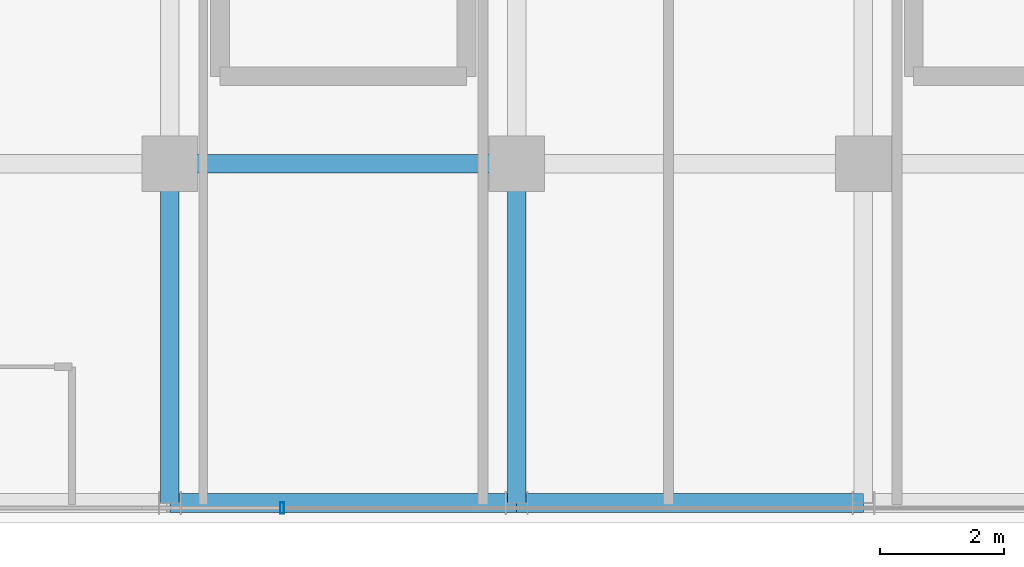
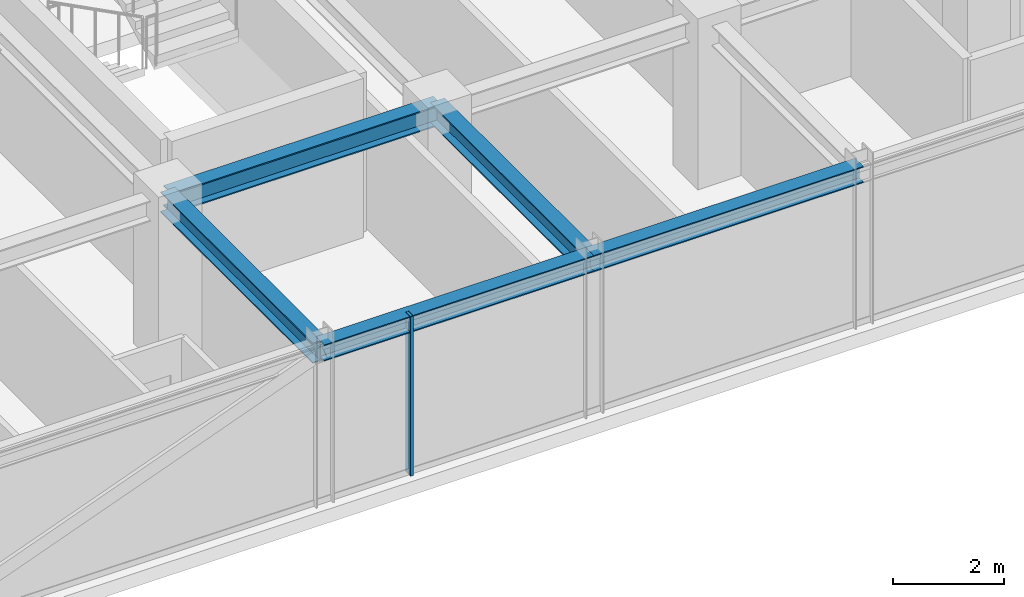
# One storey, part 6 of 36: 5 beams, 1 member, 1 element without a shape of its own.
"""IFC4 building model written with IfcOpenShell, lengths in metres."""

from ifc_helpers import new_model, si_unit, direction, frame, origin, origin_2d, place, context, subcontext, project, spatial, hollow_rectangle, i_section, extrude, source, transform, mapped, material, material_profile, profile_set, type_object, element, aggregate, save


model = new_model("IFC4")

# Units and contexts
model_context = context("Model", 3, precision=1e-05, world=origin(), true_north=direction((0.0, 1.0)))
body_context = subcontext(model_context, "Body", "Model", "MODEL_VIEW")
ifc_project = project(units=[si_unit("LENGTHUNIT", "METRE"), si_unit("AREAUNIT", "SQUARE_METRE"), si_unit("VOLUMEUNIT", "CUBIC_METRE"), si_unit("PLANEANGLEUNIT", "RADIAN"), si_unit("MASSUNIT", "GRAM", prefix="KILO")], contexts=[model_context])

# Site, building, storey
site_placement = place(None, origin())
site = spatial("IfcSite", under=ifc_project, at=site_placement, CompositionType="ELEMENT")
building_placement = place(site_placement, origin())
building = spatial("IfcBuilding", under=site, at=building_placement, Name="Nahalor Promenade Grand Hotel", CompositionType="ELEMENT")
storey_placement = place(building_placement, frame((0.0, 0.0, 319.550048828125)))
storey = spatial("IfcBuildingStorey", under=building, at=storey_placement, Name="L82", CompositionType="ELEMENT", Elevation=319.550048828125)

# Beams
ifc_material_1 = material(Name="Steel S355JR", Category="steel")
ifc_material_profile_1 = material_profile(ifc_material_1, i_section(OverallWidth=0.3, OverallDepth=0.45, WebThickness=0.014, FlangeThickness=0.026, at=origin_2d()), Name="HEB 450")
ifc_profile_set_1 = profile_set([ifc_material_profile_1], Name="Steel S355JR")
beam_type_1 = type_object("IfcBeamType", Name="Beam-Girder-HEB450", PredefinedType="BEAM", material=ifc_profile_set_1)
shared_shape_1 = source(origin(), body_context, "Body", "SweptSolid", [
    extrude(i_section(OverallWidth=0.3, OverallDepth=0.45, WebThickness=0.014, FlangeThickness=0.026, at=origin_2d()), origin(), (0.0, 0.0, 1.0), 5.599853515625),
])
beam_1_placement = place(storey_placement, frame((-8.39990234375, -17.0, 3.27490234375), z_axis=(1.0, 0.0, 0.0), x_axis=(0.0, 1.0, 0.0)))
element("IfcBeam", 1, at=beam_1_placement, inside=storey, type_object=beam_type_1, Name="BM-L82-GX-0-2", PredefinedType="BEAM", context=body_context, shape_type="MappedRepresentation", body=[
    mapped(shared_shape_1, transform((0.0, 0.0, 0.0), scale=1.0)),
])
shared_shape_2 = source(origin(), body_context, "Body", "SweptSolid", [
    extrude(i_section(OverallWidth=0.3, OverallDepth=0.45, WebThickness=0.014, FlangeThickness=0.026, at=origin_2d()), origin(), (0.0, 0.0, 1.0), 5.47998046875),
])
for number, where, z_axis, x_axis, name in (
    (2, (-8.39990234375, -22.47998046875, 3.27490234375), (0.0, 1.0, 0.0), (-1.0, 0.0, 0.0), "BM-L82-GY-1-0"),
    (3, (-2.800048828125, -22.47998046875, 3.27490234375), (0.0, 1.0, 0.0), (-1.0, 0.0, 0.0), "BM-L82-GY-2-0"),
):
    element("IfcBeam", number, at=place(storey_placement, frame(where, z_axis=z_axis, x_axis=x_axis)), inside=storey, type_object=beam_type_1, Name=name, PredefinedType="BEAM", context=body_context, shape_type="MappedRepresentation", body=[
        mapped(shared_shape_2, transform((0.0, 0.0, 0.0), scale=1.0)),
    ])
ifc_material_profile_2 = material_profile(ifc_material_1, i_section(OverallWidth=0.3, OverallDepth=0.36, WebThickness=0.0125, FlangeThickness=0.0225, at=origin_2d()), Name="HEB 360")
ifc_profile_set_2 = profile_set([ifc_material_profile_2], Name="Steel S355JR")
beam_type_2 = type_object("IfcBeamType", Name="Beam-Spandrel-HEB360", PredefinedType="SPANDREL", material=ifc_profile_set_2)
shared_shape_3 = source(origin(), body_context, "Body", "SweptSolid", [
    extrude(i_section(OverallWidth=0.3, OverallDepth=0.36, WebThickness=0.0125, FlangeThickness=0.0225, at=origin_2d()), origin(), (0.0, 0.0, 1.0), 5.599853515625),
])
beam_2_placement = place(storey_placement, frame((-8.39990234375, -22.47998046875, 3.320068359375), z_axis=(1.0, 0.0, 0.0), x_axis=(0.0, 1.0, 0.0)))
element("IfcBeam", 4, at=beam_2_placement, inside=storey, type_object=beam_type_2, Name="BM-L82-SP-S-1", PredefinedType="SPANDREL", context=body_context, shape_type="MappedRepresentation", body=[
    mapped(shared_shape_3, transform((0.0, 0.0, 0.0), scale=1.0)),
])
shared_shape_4 = source(origin(), body_context, "Body", "SweptSolid", [
    extrude(i_section(OverallWidth=0.3, OverallDepth=0.36, WebThickness=0.0125, FlangeThickness=0.0225, at=origin_2d()), origin(), (0.0, 0.0, 1.0), 5.60009765625),
])
beam_3_placement = place(storey_placement, frame((-2.800048828125, -22.47998046875, 3.320068359375), z_axis=(1.0, 0.0, 0.0), x_axis=(0.0, 1.0, 0.0)))
element("IfcBeam", 5, at=beam_3_placement, inside=storey, type_object=beam_type_2, Name="BM-L82-SP-S-2", PredefinedType="SPANDREL", context=body_context, shape_type="MappedRepresentation", body=[
    mapped(shared_shape_4, transform((0.0, 0.0, 0.0), scale=1.0)),
])

# Curtain wall, member
ifc_material_2 = material(Name="Anodised Bronze Aluminium EN AW-6063 T6", Category="aluminium")
curtain_wall_type = type_object("IfcCurtainWallType", Name="CW2 Typical Hotel Flush Bronze Unitised Curtain Wall", PredefinedType="USERDEFINED", material=ifc_material_2)
curtain_wall_placement = place(storey_placement, origin())
curtain_wall = element("IfcCurtainWall", 6, at=curtain_wall_placement, inside=storey, type_object=curtain_wall_type, Name="L82 Curtain Wall CW-L82-S-1", ObjectType="UNITISED_CURTAIN_WALL", PredefinedType="USERDEFINED")
ifc_material_profile_3 = material_profile(ifc_material_2, hollow_rectangle(XDim=0.065, YDim=0.18, WallThickness=0.004, at=origin_2d()), Name="CWM 65x180x4")
ifc_profile_set_3 = profile_set([ifc_material_profile_3], Name="Anodised Bronze Aluminium EN AW-6063 T6")
member_type = type_object("IfcMemberType", Name="CWM2 Typical Bronze Mullion 65x180", PredefinedType="MULLION", material=ifc_profile_set_3)
shared_shape_5 = source(origin(), body_context, "Body", "SweptSolid", [
    extrude(hollow_rectangle(XDim=0.065, YDim=0.18, WallThickness=0.004, at=origin_2d()), origin(), (0.0, 0.0, 1.0), 3.5),
])
member_placement = place(storey_placement, frame((-6.586669921875, -22.56005859375, 0.0), z_axis=(0.0, 0.0, 1.0), x_axis=(1.0, 0.0, 0.0)))
member = element("IfcMember", 7, at=member_placement, type_object=member_type, Name="CW-L82-S-1 Mullion 1", PredefinedType="MULLION", context=body_context, shape_type="MappedRepresentation", body=[
    mapped(shared_shape_5, transform((0.0, 0.0, 0.0), scale=1.0)),
])
aggregate(curtain_wall, [member])

save(model, "model.ifc")
